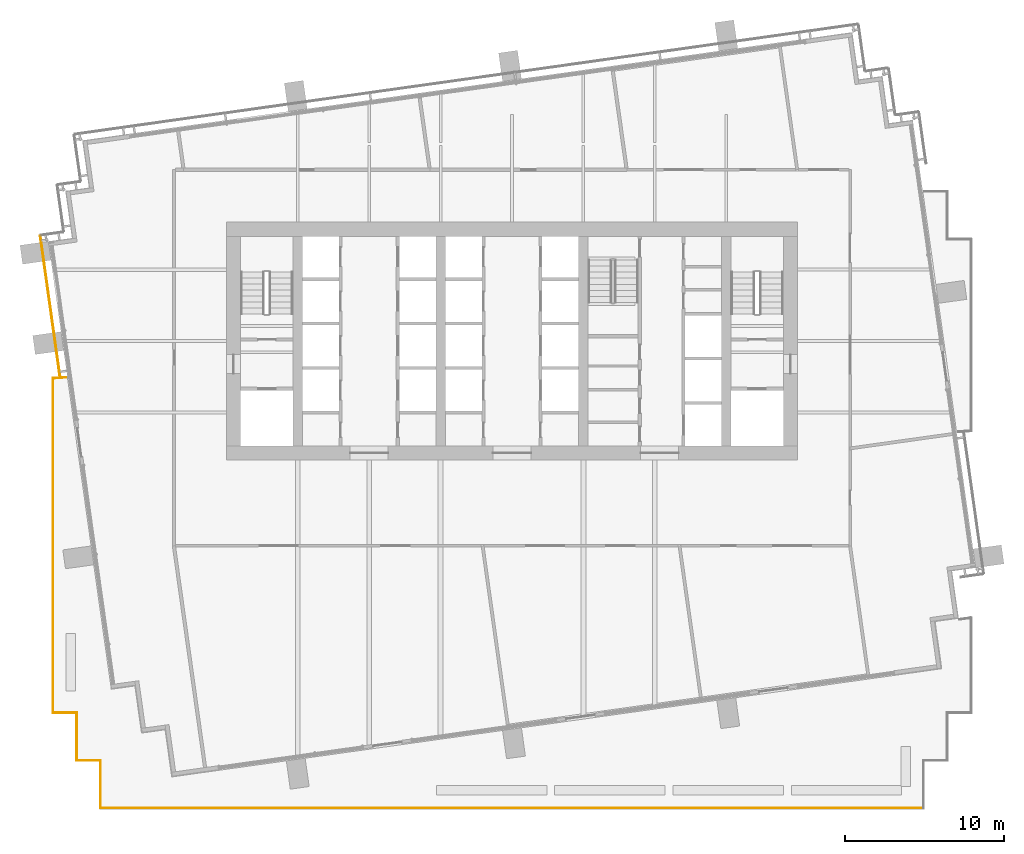
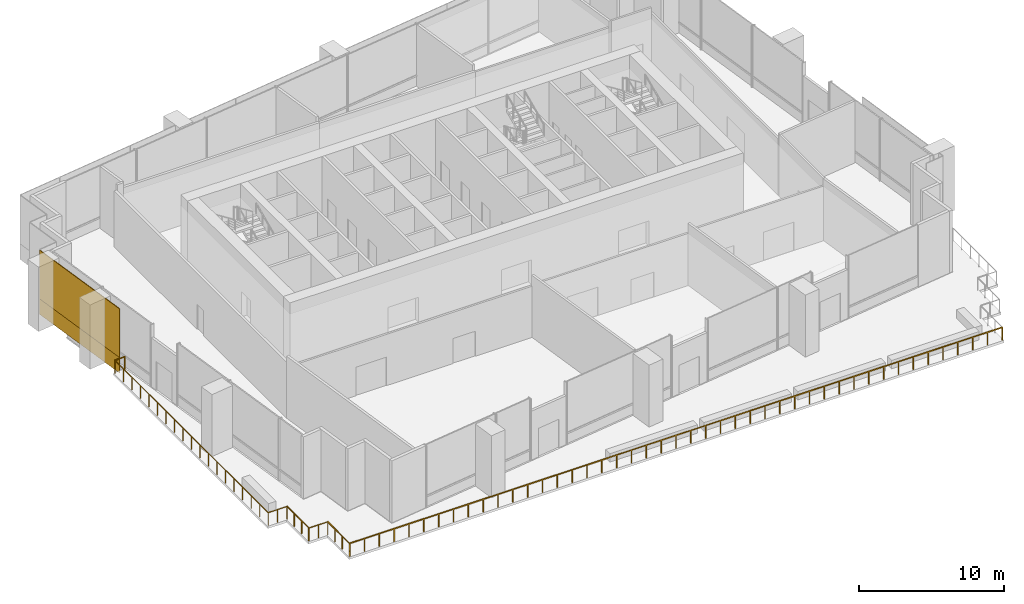
# One storey, part 12 of 17: 7 railings, 2 coverings.
"""IFC4 building model written with IfcOpenShell, lengths in metres."""

from ifc_helpers import new_model, si_unit, direction, frame, origin, origin_2d, place, context, subcontext, project, spatial, rectangle, extrude, material, layer, layer_set, type_object, element, save


model = new_model("IFC4")

# Units and contexts
model_context = context("Model", 3, precision=1e-05, world=origin(), true_north=direction((0.0, 1.0)))
body_context = subcontext(model_context, "Body", "Model", "MODEL_VIEW")
ifc_project = project(units=[si_unit("LENGTHUNIT", "METRE"), si_unit("AREAUNIT", "SQUARE_METRE"), si_unit("VOLUMEUNIT", "CUBIC_METRE"), si_unit("PLANEANGLEUNIT", "RADIAN"), si_unit("MASSUNIT", "GRAM", prefix="KILO")], contexts=[model_context])

# Site, building, storey
site_placement = place(None, origin())
site = spatial("IfcSite", under=ifc_project, at=site_placement, CompositionType="ELEMENT")
building_placement = place(site_placement, origin())
building = spatial("IfcBuilding", under=site, at=building_placement, Name="Rattan Terrace Tower", CompositionType="ELEMENT")
storey_placement = place(building_placement, frame((0.0, 0.0, 163.10009765625)))
storey = spatial("IfcBuildingStorey", under=building, at=storey_placement, Name="L37", CompositionType="ELEMENT", Elevation=163.10009765625)

# Railings
ifc_material_1 = material(Name="Stainless steel 316", Category="steel")
railing_type = type_object("IfcRailingType", Name="Facade Guard 1100", PredefinedType="GUARDRAIL", material=ifc_material_1)
railing_1_placement = place(storey_placement, frame((25.919921875, -29.419921875, 0.0)))
element("IfcRailing", 1, at=railing_1_placement, inside=storey, type_object=railing_type, Name="Terrace guard L37-2-7", PredefinedType="GUARDRAIL", context=body_context, shape_type="SweptSolid", body=[
    extrude(rectangle(XDim=0.048095703125, YDim=0.048095703125, at=origin_2d()), frame((0.0, 0.0, 1.076171875), z_axis=(-1.0, 0.0, 0.0), x_axis=(0.0, -1.0, 0.0)), (0.0, 0.0, 1.0), 51.83984375),
    extrude(rectangle(XDim=0.0419921875, YDim=0.0419921875, at=origin_2d()), origin(), (0.0, 0.0, 1.0), 1.052001953125),
    extrude(rectangle(XDim=0.0419921875, YDim=0.0419921875, at=origin_2d()), frame((-1.17822265625, 0.0, 0.0)), (0.0, 0.0, 1.0), 1.052001953125),
    extrude(rectangle(XDim=0.0419921875, YDim=0.0419921875, at=origin_2d()), frame((-2.3564453125, 0.0, 0.0)), (0.0, 0.0, 1.0), 1.052001953125),
    extrude(rectangle(XDim=0.0419921875, YDim=0.0419921875, at=origin_2d()), frame((-3.534423828125, 0.0, 0.0)), (0.0, 0.0, 1.0), 1.052001953125),
    extrude(rectangle(XDim=0.0419921875, YDim=0.0419921875, at=origin_2d()), frame((-4.712646484375, 0.0, 0.0)), (0.0, 0.0, 1.0), 1.052001953125),
    extrude(rectangle(XDim=0.0419921875, YDim=0.0419921875, at=origin_2d()), frame((-5.890869140625, 0.0, 0.0)), (0.0, 0.0, 1.0), 1.052001953125),
    extrude(rectangle(XDim=0.0419921875, YDim=0.0419921875, at=origin_2d()), frame((-7.069091796875, 0.0, 0.0)), (0.0, 0.0, 1.0), 1.052001953125),
    extrude(rectangle(XDim=0.0419921875, YDim=0.0419921875, at=origin_2d()), frame((-8.247314453125, 0.0, 0.0)), (0.0, 0.0, 1.0), 1.052001953125),
    extrude(rectangle(XDim=0.0419921875, YDim=0.0419921875, at=origin_2d()), frame((-9.425537109375, 0.0, 0.0)), (0.0, 0.0, 1.0), 1.052001953125),
    extrude(rectangle(XDim=0.0419921875, YDim=0.0419921875, at=origin_2d()), frame((-10.603515625, 0.0, 0.0)), (0.0, 0.0, 1.0), 1.052001953125),
    extrude(rectangle(XDim=0.0419921875, YDim=0.0419921875, at=origin_2d()), frame((-11.78173828125, 0.0, 0.0)), (0.0, 0.0, 1.0), 1.052001953125),
    extrude(rectangle(XDim=0.0419921875, YDim=0.0419921875, at=origin_2d()), frame((-12.9599609375, 0.0, 0.0)), (0.0, 0.0, 1.0), 1.052001953125),
    extrude(rectangle(XDim=0.0419921875, YDim=0.0419921875, at=origin_2d()), frame((-14.13818359375, 0.0, 0.0)), (0.0, 0.0, 1.0), 1.052001953125),
    extrude(rectangle(XDim=0.0419921875, YDim=0.0419921875, at=origin_2d()), frame((-15.31640625, 0.0, 0.0)), (0.0, 0.0, 1.0), 1.052001953125),
    extrude(rectangle(XDim=0.0419921875, YDim=0.0419921875, at=origin_2d()), frame((-16.494384765625, 0.0, 0.0)), (0.0, 0.0, 1.0), 1.052001953125),
    extrude(rectangle(XDim=0.0419921875, YDim=0.0419921875, at=origin_2d()), frame((-17.672607421875, 0.0, 0.0)), (0.0, 0.0, 1.0), 1.052001953125),
    extrude(rectangle(XDim=0.0419921875, YDim=0.0419921875, at=origin_2d()), frame((-18.850830078125, 0.0, 0.0)), (0.0, 0.0, 1.0), 1.052001953125),
    extrude(rectangle(XDim=0.0419921875, YDim=0.0419921875, at=origin_2d()), frame((-20.029052734375, 0.0, 0.0)), (0.0, 0.0, 1.0), 1.052001953125),
    extrude(rectangle(XDim=0.0419921875, YDim=0.0419921875, at=origin_2d()), frame((-21.207275390625, 0.0, 0.0)), (0.0, 0.0, 1.0), 1.052001953125),
    extrude(rectangle(XDim=0.0419921875, YDim=0.0419921875, at=origin_2d()), frame((-22.385498046875, 0.0, 0.0)), (0.0, 0.0, 1.0), 1.052001953125),
    extrude(rectangle(XDim=0.0419921875, YDim=0.0419921875, at=origin_2d()), frame((-23.5634765625, 0.0, 0.0)), (0.0, 0.0, 1.0), 1.052001953125),
    extrude(rectangle(XDim=0.0419921875, YDim=0.0419921875, at=origin_2d()), frame((-24.74169921875, 0.0, 0.0)), (0.0, 0.0, 1.0), 1.052001953125),
    extrude(rectangle(XDim=0.0419921875, YDim=0.0419921875, at=origin_2d()), frame((-25.919921875, 0.0, 0.0)), (0.0, 0.0, 1.0), 1.052001953125),
    extrude(rectangle(XDim=0.0419921875, YDim=0.0419921875, at=origin_2d()), frame((-27.09814453125, 0.0, 0.0)), (0.0, 0.0, 1.0), 1.052001953125),
    extrude(rectangle(XDim=0.0419921875, YDim=0.0419921875, at=origin_2d()), frame((-28.2763671875, 0.0, 0.0)), (0.0, 0.0, 1.0), 1.052001953125),
    extrude(rectangle(XDim=0.0419921875, YDim=0.0419921875, at=origin_2d()), frame((-29.454345703125, 0.0, 0.0)), (0.0, 0.0, 1.0), 1.052001953125),
    extrude(rectangle(XDim=0.0419921875, YDim=0.0419921875, at=origin_2d()), frame((-30.632568359375, 0.0, 0.0)), (0.0, 0.0, 1.0), 1.052001953125),
    extrude(rectangle(XDim=0.0419921875, YDim=0.0419921875, at=origin_2d()), frame((-31.810791015625, 0.0, 0.0)), (0.0, 0.0, 1.0), 1.052001953125),
    extrude(rectangle(XDim=0.0419921875, YDim=0.0419921875, at=origin_2d()), frame((-32.989013671875, 0.0, 0.0)), (0.0, 0.0, 1.0), 1.052001953125),
    extrude(rectangle(XDim=0.0419921875, YDim=0.0419921875, at=origin_2d()), frame((-34.167236328125, 0.0, 0.0)), (0.0, 0.0, 1.0), 1.052001953125),
    extrude(rectangle(XDim=0.0419921875, YDim=0.0419921875, at=origin_2d()), frame((-35.345458984375, 0.0, 0.0)), (0.0, 0.0, 1.0), 1.052001953125),
    extrude(rectangle(XDim=0.0419921875, YDim=0.0419921875, at=origin_2d()), frame((-36.5234375, 0.0, 0.0)), (0.0, 0.0, 1.0), 1.052001953125),
    extrude(rectangle(XDim=0.0419921875, YDim=0.0419921875, at=origin_2d()), frame((-37.70166015625, 0.0, 0.0)), (0.0, 0.0, 1.0), 1.052001953125),
    extrude(rectangle(XDim=0.0419921875, YDim=0.0419921875, at=origin_2d()), frame((-38.8798828125, 0.0, 0.0)), (0.0, 0.0, 1.0), 1.052001953125),
    extrude(rectangle(XDim=0.0419921875, YDim=0.0419921875, at=origin_2d()), frame((-40.05810546875, 0.0, 0.0)), (0.0, 0.0, 1.0), 1.052001953125),
    extrude(rectangle(XDim=0.0419921875, YDim=0.0419921875, at=origin_2d()), frame((-41.236328125, 0.0, 0.0)), (0.0, 0.0, 1.0), 1.052001953125),
    extrude(rectangle(XDim=0.0419921875, YDim=0.0419921875, at=origin_2d()), frame((-42.414306640625, 0.0, 0.0)), (0.0, 0.0, 1.0), 1.052001953125),
    extrude(rectangle(XDim=0.0419921875, YDim=0.0419921875, at=origin_2d()), frame((-43.592529296875, 0.0, 0.0)), (0.0, 0.0, 1.0), 1.052001953125),
    extrude(rectangle(XDim=0.0419921875, YDim=0.0419921875, at=origin_2d()), frame((-44.770751953125, 0.0, 0.0)), (0.0, 0.0, 1.0), 1.052001953125),
    extrude(rectangle(XDim=0.0419921875, YDim=0.0419921875, at=origin_2d()), frame((-45.948974609375, 0.0, 0.0)), (0.0, 0.0, 1.0), 1.052001953125),
    extrude(rectangle(XDim=0.0419921875, YDim=0.0419921875, at=origin_2d()), frame((-47.127197265625, 0.0, 0.0)), (0.0, 0.0, 1.0), 1.052001953125),
    extrude(rectangle(XDim=0.0419921875, YDim=0.0419921875, at=origin_2d()), frame((-48.305419921875, 0.0, 0.0)), (0.0, 0.0, 1.0), 1.052001953125),
    extrude(rectangle(XDim=0.0419921875, YDim=0.0419921875, at=origin_2d()), frame((-49.4833984375, 0.0, 0.0)), (0.0, 0.0, 1.0), 1.052001953125),
    extrude(rectangle(XDim=0.0419921875, YDim=0.0419921875, at=origin_2d()), frame((-50.66162109375, 0.0, 0.0)), (0.0, 0.0, 1.0), 1.052001953125),
])
railing_2_placement = place(storey_placement, frame((-25.919921875, -29.419921875, 0.0)))
element("IfcRailing", 2, at=railing_2_placement, inside=storey, type_object=railing_type, Name="Terrace guard L37-2-8", PredefinedType="GUARDRAIL", context=body_context, shape_type="SweptSolid", body=[
    extrude(rectangle(XDim=0.048095703125, YDim=0.048095703125, at=origin_2d()), frame((0.0, 0.0, 1.076171875), z_axis=(0.0, 1.0, 0.0), x_axis=(-1.0, 0.0, 0.0)), (0.0, 0.0, 1.0), 3.0),
    extrude(rectangle(XDim=0.0419921875, YDim=0.0419921875, at=origin_2d()), origin(), (0.0, 0.0, 1.0), 1.052001953125),
    extrude(rectangle(XDim=0.0419921875, YDim=0.0419921875, at=origin_2d()), frame((0.0, 1.0, 0.0)), (0.0, 0.0, 1.0), 1.052001953125),
    extrude(rectangle(XDim=0.0419921875, YDim=0.0419921875, at=origin_2d()), frame((0.0, 2.0, 0.0)), (0.0, 0.0, 1.0), 1.052001953125),
])
railing_3_placement = place(storey_placement, frame((-25.919921875, -26.419921875, 0.0)))
element("IfcRailing", 3, at=railing_3_placement, inside=storey, type_object=railing_type, Name="Terrace guard L37-2-9", PredefinedType="GUARDRAIL", context=body_context, shape_type="SweptSolid", body=[
    extrude(rectangle(XDim=0.048095703125, YDim=0.048095703125, at=origin_2d()), frame((0.0, 0.0, 1.076171875), z_axis=(-1.0, 0.0, 0.0), x_axis=(0.0, -1.0, 0.0)), (0.0, 0.0, 1.0), 1.5),
    extrude(rectangle(XDim=0.0419921875, YDim=0.0419921875, at=origin_2d()), origin(), (0.0, 0.0, 1.0), 1.052001953125),
    extrude(rectangle(XDim=0.0419921875, YDim=0.0419921875, at=origin_2d()), frame((-0.75, 0.0, 0.0)), (0.0, 0.0, 1.0), 1.052001953125),
])
railing_4_placement = place(storey_placement, frame((-27.419921875, -26.419921875, 0.0)))
element("IfcRailing", 4, at=railing_4_placement, inside=storey, type_object=railing_type, Name="Terrace guard L37-2-10", PredefinedType="GUARDRAIL", context=body_context, shape_type="SweptSolid", body=[
    extrude(rectangle(XDim=0.048095703125, YDim=0.048095703125, at=origin_2d()), frame((0.0, 0.0, 1.076171875), z_axis=(0.0, 1.0, 0.0), x_axis=(-1.0, 0.0, 0.0)), (0.0, 0.0, 1.0), 3.0),
    extrude(rectangle(XDim=0.0419921875, YDim=0.0419921875, at=origin_2d()), origin(), (0.0, 0.0, 1.0), 1.052001953125),
    extrude(rectangle(XDim=0.0419921875, YDim=0.0419921875, at=origin_2d()), frame((0.0, 1.0, 0.0)), (0.0, 0.0, 1.0), 1.052001953125),
    extrude(rectangle(XDim=0.0419921875, YDim=0.0419921875, at=origin_2d()), frame((0.0, 2.0, 0.0)), (0.0, 0.0, 1.0), 1.052001953125),
])
railing_5_placement = place(storey_placement, frame((-27.419921875, -23.419921875, 0.0)))
element("IfcRailing", 5, at=railing_5_placement, inside=storey, type_object=railing_type, Name="Terrace guard L37-2-11", PredefinedType="GUARDRAIL", context=body_context, shape_type="SweptSolid", body=[
    extrude(rectangle(XDim=0.048095703125, YDim=0.048095703125, at=origin_2d()), frame((0.0, 0.0, 1.076171875), z_axis=(-1.0, 0.0, 0.0), x_axis=(0.0, -1.0, 0.0)), (0.0, 0.0, 1.0), 1.5),
    extrude(rectangle(XDim=0.0419921875, YDim=0.0419921875, at=origin_2d()), origin(), (0.0, 0.0, 1.0), 1.052001953125),
    extrude(rectangle(XDim=0.0419921875, YDim=0.0419921875, at=origin_2d()), frame((-0.75, 0.0, 0.0)), (0.0, 0.0, 1.0), 1.052001953125),
])
railing_6_placement = place(storey_placement, frame((-28.919921875, -23.419921875, 0.0)))
element("IfcRailing", 6, at=railing_6_placement, inside=storey, type_object=railing_type, Name="Terrace guard L37-2-12", PredefinedType="GUARDRAIL", context=body_context, shape_type="SweptSolid", body=[
    extrude(rectangle(XDim=0.048095703125, YDim=0.048095703125, at=origin_2d()), frame((0.0, 0.0, 1.076171875), z_axis=(0.0, 1.0, 0.0), x_axis=(-1.0, 0.0, 0.0)), (0.0, 0.0, 1.0), 21.074951171875),
    extrude(rectangle(XDim=0.0419921875, YDim=0.0419921875, at=origin_2d()), origin(), (0.0, 0.0, 1.0), 1.052001953125),
    extrude(rectangle(XDim=0.0419921875, YDim=0.0419921875, at=origin_2d()), frame((0.0, 1.1708984375, 0.0)), (0.0, 0.0, 1.0), 1.052001953125),
    extrude(rectangle(XDim=0.0419921875, YDim=0.0419921875, at=origin_2d()), frame((0.0, 2.341552734375, 0.0)), (0.0, 0.0, 1.0), 1.052001953125),
    extrude(rectangle(XDim=0.0419921875, YDim=0.0419921875, at=origin_2d()), frame((0.0, 3.512451171875, 0.0)), (0.0, 0.0, 1.0), 1.052001953125),
    extrude(rectangle(XDim=0.0419921875, YDim=0.0419921875, at=origin_2d()), frame((0.0, 4.683349609375, 0.0)), (0.0, 0.0, 1.0), 1.052001953125),
    extrude(rectangle(XDim=0.0419921875, YDim=0.0419921875, at=origin_2d()), frame((0.0, 5.854248046875, 0.0)), (0.0, 0.0, 1.0), 1.052001953125),
    extrude(rectangle(XDim=0.0419921875, YDim=0.0419921875, at=origin_2d()), frame((0.0, 7.02490234375, 0.0)), (0.0, 0.0, 1.0), 1.052001953125),
    extrude(rectangle(XDim=0.0419921875, YDim=0.0419921875, at=origin_2d()), frame((0.0, 8.19580078125, 0.0)), (0.0, 0.0, 1.0), 1.052001953125),
    extrude(rectangle(XDim=0.0419921875, YDim=0.0419921875, at=origin_2d()), frame((0.0, 9.36669921875, 0.0)), (0.0, 0.0, 1.0), 1.052001953125),
    extrude(rectangle(XDim=0.0419921875, YDim=0.0419921875, at=origin_2d()), frame((0.0, 10.53759765625, 0.0)), (0.0, 0.0, 1.0), 1.052001953125),
    extrude(rectangle(XDim=0.0419921875, YDim=0.0419921875, at=origin_2d()), frame((0.0, 11.708251953125, 0.0)), (0.0, 0.0, 1.0), 1.052001953125),
    extrude(rectangle(XDim=0.0419921875, YDim=0.0419921875, at=origin_2d()), frame((0.0, 12.879150390625, 0.0)), (0.0, 0.0, 1.0), 1.052001953125),
    extrude(rectangle(XDim=0.0419921875, YDim=0.0419921875, at=origin_2d()), frame((0.0, 14.050048828125, 0.0)), (0.0, 0.0, 1.0), 1.052001953125),
    extrude(rectangle(XDim=0.0419921875, YDim=0.0419921875, at=origin_2d()), frame((0.0, 15.220703125, 0.0)), (0.0, 0.0, 1.0), 1.052001953125),
    extrude(rectangle(XDim=0.0419921875, YDim=0.0419921875, at=origin_2d()), frame((0.0, 16.3916015625, 0.0)), (0.0, 0.0, 1.0), 1.052001953125),
    extrude(rectangle(XDim=0.0419921875, YDim=0.0419921875, at=origin_2d()), frame((0.0, 17.5625, 0.0)), (0.0, 0.0, 1.0), 1.052001953125),
    extrude(rectangle(XDim=0.0419921875, YDim=0.0419921875, at=origin_2d()), frame((0.0, 18.7333984375, 0.0)), (0.0, 0.0, 1.0), 1.052001953125),
    extrude(rectangle(XDim=0.0419921875, YDim=0.0419921875, at=origin_2d()), frame((0.0, 19.904052734375, 0.0)), (0.0, 0.0, 1.0), 1.052001953125),
])
railing_7_placement = place(storey_placement, frame((-28.919921875, -2.344970703125, 0.0)))
element("IfcRailing", 7, at=railing_7_placement, inside=storey, type_object=railing_type, Name="Terrace guard L37-2-13", PredefinedType="GUARDRAIL", context=body_context, shape_type="SweptSolid", body=[
    extrude(rectangle(XDim=0.048095703125, YDim=0.048095703125, at=origin_2d()), frame((0.0, 0.0, 1.076171875), z_axis=(0.997537689418, 0.070132433222, 0.0), x_axis=(-0.070132433222, 0.997537689418, 0.0)), (0.0, 0.0, 1.0), 0.824951171875),
    extrude(rectangle(XDim=0.0419921875, YDim=0.0419921875, at=origin_2d()), origin(), (0.0, 0.0, 1.0), 1.052001953125),
    extrude(rectangle(XDim=0.0419921875, YDim=0.0419921875, at=origin_2d()), frame((0.822998046875, 0.057861328125, 0.0)), (0.0, 0.0, 1.0), 1.052001953125),
])

# Coverings
ifc_material_2 = material(Name="Solid terracotta", Category="masonry")
ifc_layer_1 = layer(ifc_material_2, 0.06005859375)
ifc_layer_set_1 = layer_set([ifc_layer_1], Name="Facade Terracotta Band Panel")
covering_type_1 = type_object("IfcCoveringType", Name="Facade Terracotta Band Panel", PredefinedType="CLADDING", material=ifc_layer_set_1)
covering_1_placement = place(storey_placement, frame((-29.095703125, 2.19580078125, -0.18994140625), z_axis=(0.0, 0.0, 1.0), x_axis=(0.139190856006, -0.99026557327, 0.0)))
element("IfcCovering", 8, at=covering_1_placement, inside=storey, type_object=covering_type_1, Name="OUTER SKIN panel L37-19A", PredefinedType="CLADDING", context=body_context, shape_type="SweptSolid", body=[
    extrude(rectangle(XDim=8.949951171875, YDim=0.06005859375, at=origin_2d()), origin(), (0.0, 0.0, 1.0), 1.300048828125),
])
ifc_material_3 = material(Name="Perforated terracotta", Category="masonry")
ifc_layer_2 = layer(ifc_material_3, 0.06005859375)
ifc_layer_set_2 = layer_set([ifc_layer_2], Name="Facade Terracotta Screen Panel")
covering_type_2 = type_object("IfcCoveringType", Name="Facade Terracotta Screen Panel", PredefinedType="CLADDING", material=ifc_layer_set_2)
covering_2_placement = place(storey_placement, frame((-29.095703125, 2.19580078125, 1.10986328125), z_axis=(0.0, 0.0, 1.0), x_axis=(0.139190856006, -0.99026557327, 0.0)))
element("IfcCovering", 9, at=covering_2_placement, inside=storey, type_object=covering_type_2, Name="OUTER SKIN panel L37-19B", PredefinedType="CLADDING", context=body_context, shape_type="SweptSolid", body=[
    extrude(rectangle(XDim=8.949951171875, YDim=0.06005859375, at=origin_2d()), origin(), (0.0, 0.0, 1.0), 4.080078125),
])

save(model, "model.ifc")
